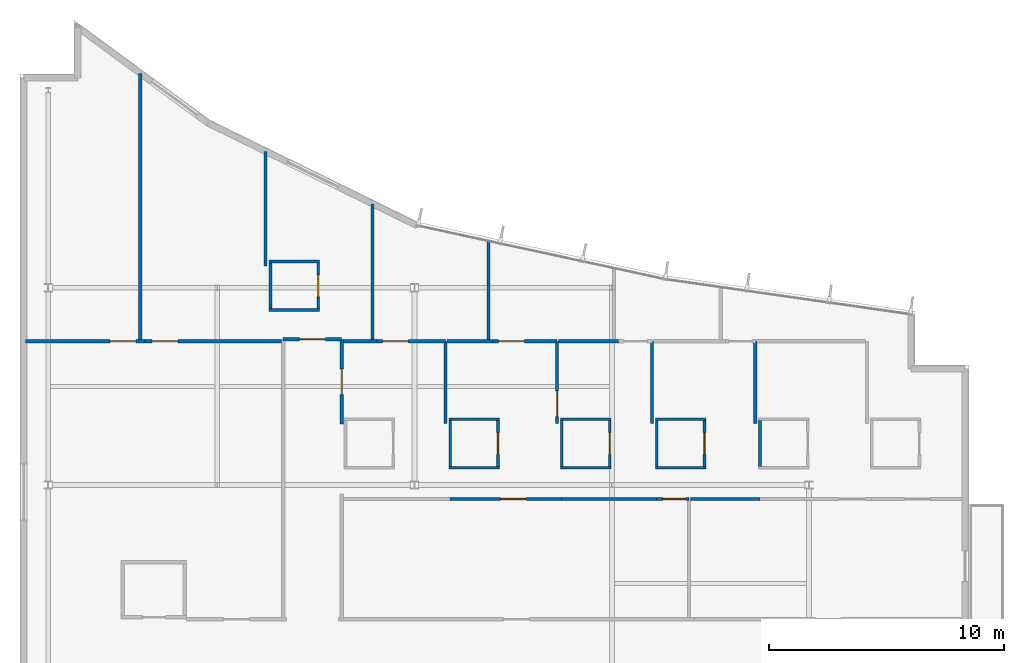
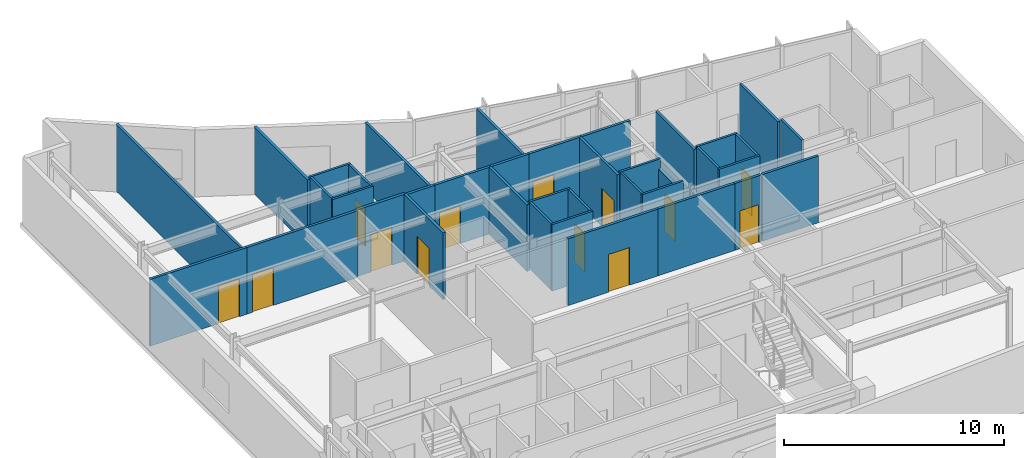
# One storey, part 11 of 16: 38 walls, 13 doors, 13 openings.
"""IFC4 building model written with IfcOpenShell, lengths in metres."""

import ifcopenshell
import ifcopenshell.guid

model = None  # the IFC model being written
_history = None  # IfcOwnerHistory: only IFC2X3 demands one
_inside = {}  # id of a spatial element -> (the spatial element, [elements in it])
_under = {}  # id of a project, library or spatial element -> (it, [spatial elements below it])
_declared = {}  # id of a project -> (the project, [libraries it declares])
_typed = {}  # id of a type object -> (the type object, [elements of that type])
_made_of = {}  # id of a material, layer set ... -> (it, [elements and type objects made of it])


def new_model(schema):
    """Start an empty IFC model of exactly this schema.

    Asked for "IFC4X3", IfcOpenShell would pick the latest addendum, in which some entities
    have other attributes; the version numbers below select the first issue.
    IFC2X3 requires an IfcOwnerHistory on every rooted entity: one is made here for all.
    """
    global model, _history
    if schema == "IFC4X3":
        model = ifcopenshell.file(schema_version=(4, 3, 0, 0))
    else:
        model = ifcopenshell.file(schema=schema)
    _inside.clear()
    _under.clear()
    _declared.clear()
    _typed.clear()
    _made_of.clear()
    _history = None
    if model.schema == "IFC2X3":
        org = make("IfcOrganization", Name="unknown")
        user = make(
            "IfcPersonAndOrganization",
            ThePerson=make("IfcPerson", FamilyName="unknown"),
            TheOrganization=org,
        )
        app = make(
            "IfcApplication",
            ApplicationDeveloper=org,
            Version="unknown",
            ApplicationFullName="unknown",
            ApplicationIdentifier="unknown",
        )
        _history = make(
            "IfcOwnerHistory",
            OwningUser=user,
            OwningApplication=app,
            ChangeAction="ADDED",
            CreationDate=0,
        )
    return model


def make(cls, **values):
    """One entity of the class cls with the attributes given. An attribute that is None is left unset."""
    return model.create_entity(
        cls, **{name: value for name, value in values.items() if value is not None}
    )


def rooted(cls, **values):
    """An entity with a GlobalId (a new one), such as an element, a storey or a relation."""
    return make(cls, GlobalId=ifcopenshell.guid.new(), OwnerHistory=_history, **values)


def si_unit(unit_type, name, prefix=None):
    """IfcSIUnit, for example si_unit("LENGTHUNIT", "METRE", prefix="MILLI")."""
    return make("IfcSIUnit", UnitType=unit_type, Prefix=prefix, Name=name)


def assignment(units):
    """IfcUnitAssignment: the units of a project."""
    return None if units is None else make("IfcUnitAssignment", Units=units)


def point(xyz):
    """IfcCartesianPoint."""
    return None if xyz is None else make("IfcCartesianPoint", Coordinates=xyz)


def direction(xyz):
    """IfcDirection."""
    return None if xyz is None else make("IfcDirection", DirectionRatios=xyz)


def frame(location, z_axis=None, x_axis=None):
    """IfcAxis2Placement3D, a coordinate frame: its origin and axes. An axis left out is left unset."""
    return make(
        "IfcAxis2Placement3D",
        Location=point(location),
        Axis=direction(z_axis),
        RefDirection=direction(x_axis),
    )


def frame_2d(location, x_axis=None):
    """IfcAxis2Placement2D, a coordinate frame in the plane: its origin and x axis."""
    return make(
        "IfcAxis2Placement2D", Location=point(location), RefDirection=direction(x_axis)
    )


def origin():
    """The frame at (0, 0, 0) with its axes left unset."""
    return frame((0.0, 0.0, 0.0))


def place(relative_to, where):
    """IfcLocalPlacement: puts the frame where relative to a parent placement (None: the world)."""
    return make(
        "IfcLocalPlacement", PlacementRelTo=relative_to, RelativePlacement=where
    )


def context(
    kind, dimensions, precision=None, world=None, true_north=None, identifier=None
):
    """IfcGeometricRepresentationContext, for example the 3D "Model" context."""
    return make(
        "IfcGeometricRepresentationContext",
        ContextIdentifier=identifier,
        ContextType=kind,
        CoordinateSpaceDimension=dimensions,
        Precision=precision,
        WorldCoordinateSystem=world,
        TrueNorth=true_north,
    )


def subcontext(parent, identifier, kind, view, scale=None):
    """IfcGeometricRepresentationSubContext, for example "Body" below "Model"."""
    return make(
        "IfcGeometricRepresentationSubContext",
        ContextIdentifier=identifier,
        ContextType=kind,
        ParentContext=parent,
        TargetScale=scale,
        TargetView=view,
    )


def project(units=None, contexts=None):
    """IfcProject with its units and contexts."""
    return rooted(
        "IfcProject",
        Name="project",
        RepresentationContexts=contexts,
        UnitsInContext=assignment(units),
    )


def spatial(cls, under=None, at=None, **own):
    """A site, building, storey or space (cls), placed at a placement, below another one or the project."""
    s = rooted(cls, ObjectPlacement=at, **own)
    if under is not None:
        _under.setdefault(under.id(), (under, []))[1].append(s)
    return s


def profile(cls, at=None, kind="AREA", **sizes):
    """A parametric profile (cls). Its sizes go by their IFC names, for example OverallWidth=200.0."""
    return make(cls, ProfileType=kind, Position=at, **sizes)


def rectangle(**sizes):
    """IfcRectangleProfileDef."""
    return profile("IfcRectangleProfileDef", **sizes)


def extrude(swept, where, along, depth):
    """IfcExtrudedAreaSolid: the profile swept, set in the frame where, extruded along a direction by depth."""
    return make(
        "IfcExtrudedAreaSolid",
        SweptArea=swept,
        Position=where,
        ExtrudedDirection=direction(along),
        Depth=depth,
    )


def shape(context_of_items, identifier, shape_type, items):
    """IfcShapeRepresentation: the items that make up one representation, for example the "Body"."""
    return make(
        "IfcShapeRepresentation",
        ContextOfItems=context_of_items,
        RepresentationIdentifier=identifier,
        RepresentationType=shape_type,
        Items=items,
    )


def material(Name=None, Category=None):
    """IfcMaterial."""
    return make("IfcMaterial", Name=Name, Category=Category)


def layer(
    of_material, thickness, ventilated=None, Name=None, Category=None, Priority=None
):
    """IfcMaterialLayer: one layer of a wall or slab, of a material (None: an air gap)."""
    return make(
        "IfcMaterialLayer",
        Material=of_material,
        LayerThickness=thickness,
        IsVentilated=ventilated,
        Name=Name,
        Category=Category,
        Priority=Priority,
    )


def layer_set(layers, Name=None):
    """IfcMaterialLayerSet."""
    return make("IfcMaterialLayerSet", MaterialLayers=layers, LayerSetName=Name)


def made_of(thing, what):
    """Note that an element or type object is made of a material, layer set ...; save() writes the relation."""
    if what is not None:
        _made_of.setdefault(what.id(), (what, []))[1].append(thing)
    return thing


def type_object(cls, material=None, **own):
    """A type object (cls), such as IfcWallType, which elements share."""
    return made_of(rooted(cls, **own), material)


def element(
    cls,
    number,
    at=None,
    inside=None,
    cuts=None,
    type_object=None,
    material=None,
    context=None,
    identifier="Body",
    shape_type=None,
    held_by="IfcProductDefinitionShape",
    body=None,
    shapes=None,
    **own,
):
    """One element of the class cls, such as IfcWall. Its Tag is "e" and its number.

    at: its placement. inside: the storey or other place that contains it. cuts: it is an
    opening in that element (IfcRelVoidsElement). A single representation is given by context,
    identifier, shape_type and body (its items); several are given by shapes. held_by: the class
    of the entity that holds the representations. save() writes the other relations.
    """
    e = rooted(cls, Tag="e%d" % number, ObjectPlacement=at, **own)
    if body is not None:
        shapes = [shape(context, identifier, shape_type, body)]
    if shapes is not None:
        e.Representation = make(held_by, Representations=shapes)
    if inside is not None:
        _inside.setdefault(inside.id(), (inside, []))[1].append(e)
    if cuts is not None:
        rooted(
            "IfcRelVoidsElement", RelatingBuildingElement=cuts, RelatedOpeningElement=e
        )
    if type_object is not None:
        _typed.setdefault(type_object.id(), (type_object, []))[1].append(e)
    return made_of(e, material)


def fill(opening, filler):
    """IfcRelFillsElement: the door or window that sits in an opening."""
    return rooted(
        "IfcRelFillsElement",
        RelatingOpeningElement=opening,
        RelatedBuildingElement=filler,
    )


def aggregate(whole, parts):
    """IfcRelAggregates: a whole, such as a stair, and the parts it consists of."""
    return rooted("IfcRelAggregates", RelatingObject=whole, RelatedObjects=parts)


def save(model, path):
    """Write the relations noted so far, then the file.

    IfcRelAggregates (storeys below a building ...), IfcRelContainedInSpatialStructure (elements
    in a storey), IfcRelDefinesByType, IfcRelAssociatesMaterial and IfcRelDeclares: one each for
    every whole, place, type object, material and project.
    """
    for whole, parts in _under.values():
        aggregate(whole, parts)
    for where, things in _inside.values():
        rooted(
            "IfcRelContainedInSpatialStructure",
            RelatedElements=things,
            RelatingStructure=where,
        )
    for kind, things in _typed.values():
        rooted("IfcRelDefinesByType", RelatedObjects=things, RelatingType=kind)
    for what, things in _made_of.values():
        rooted("IfcRelAssociatesMaterial", RelatedObjects=things, RelatingMaterial=what)
    for by, libraries in _declared.values():
        rooted("IfcRelDeclares", RelatingContext=by, RelatedDefinitions=libraries)
    model.write(path)


model = new_model("IFC4")

# Units and contexts
model_context = context("Model", 3, precision=1e-05, world=origin(), true_north=direction((0.0, 1.0)))
body_context = subcontext(model_context, "Body", "Model", "MODEL_VIEW")
ifc_project = project(units=[si_unit("LENGTHUNIT", "METRE"), si_unit("AREAUNIT", "SQUARE_METRE"), si_unit("VOLUMEUNIT", "CUBIC_METRE"), si_unit("PLANEANGLEUNIT", "RADIAN"), si_unit("MASSUNIT", "GRAM", prefix="KILO")], contexts=[model_context])

# Site, building, storey
site_placement = place(None, origin())
site = spatial("IfcSite", under=ifc_project, at=site_placement, CompositionType="ELEMENT")
building_placement = place(site_placement, origin())
building = spatial("IfcBuilding", under=site, at=building_placement, Name="Varnakote Quay Hospital", CompositionType="ELEMENT")
storey_placement = place(building_placement, frame((0.0, 0.0, 292.10009765625)))
storey = spatial("IfcBuildingStorey", under=building, at=storey_placement, Name="L72", CompositionType="ELEMENT", Elevation=292.10009765625)

# Walls
ifc_material_1 = material(Name="Moisture-resistant bathroom partition", Category="gypsum")
ifc_layer_1 = layer(ifc_material_1, 0.114990234375)
ifc_layer_set_1 = layer_set([ifc_layer_1], Name="Moisture-resistant bathroom partition")
wall_type_1 = type_object("IfcWallType", Name="WL-ENS-115", PredefinedType="PARTITIONING", material=ifc_layer_set_1)
for number, where, z_axis, x_axis, name in (
    (1, (18.264892578125, 21.132568359375, 0.0), (0.0, 0.0, 1.0), (1.0, 0.0, 0.0), "L72 Inpatient En-Suite Bathroom 02 S Wall"),
    (2, (18.264892578125, 23.197509765625, 0.0), (0.0, 0.0, 1.0), (1.0, 0.0, 0.0), "L72 Inpatient En-Suite Bathroom 02 N Wall"),
):
    element("IfcWall", number, at=place(storey_placement, frame(where, z_axis=z_axis, x_axis=x_axis)), inside=storey, type_object=wall_type_1, Name=name, PredefinedType="PARTITIONING", context=body_context, shape_type="SweptSolid", body=[
        extrude(rectangle(XDim=2.150146484375, YDim=0.114990234375, at=frame_2d((1.0751953125, 0.0))), origin(), (0.0, 0.0, 1.0), 3.7099609375),
    ])
wall_1_placement = place(storey_placement, frame((18.322509765625, 21.18994140625, 0.0), z_axis=(0.0, 0.0, 1.0), x_axis=(0.0, 1.0, 0.0)))
element("IfcWall", 3, at=wall_1_placement, inside=storey, type_object=wall_type_1, Name="L72 Inpatient En-Suite Bathroom 02 W Wall", PredefinedType="PARTITIONING", context=body_context, shape_type="SweptSolid", body=[
    extrude(rectangle(XDim=1.949951171875, YDim=0.114990234375, at=frame_2d((0.97509765625, 0.0))), origin(), (0.0, 0.0, 1.0), 3.7099609375),
])

# Wall, opening, door
wall_2_placement = place(storey_placement, frame((20.357421875, 21.18994140625, 0.0), z_axis=(0.0, 0.0, 1.0), x_axis=(0.0, 1.0, 0.0)))
wall_2 = element("IfcWall", 4, at=wall_2_placement, inside=storey, type_object=wall_type_1, Name="L72 Inpatient En-Suite Bathroom 02 E Wall", PredefinedType="PARTITIONING", context=body_context, shape_type="SweptSolid", body=[
    extrude(rectangle(XDim=1.949951171875, YDim=0.114990234375, at=frame_2d((0.97509765625, 0.0))), origin(), (0.0, 0.0, 1.0), 3.7099609375),
])
opening_1_placement = place(wall_2_placement, frame((0.514892578125, 0.0, 0.0)))
opening_1 = element("IfcOpeningElement", 5, at=opening_1_placement, cuts=wall_2, Name="Opening D-L72-ENS02", PredefinedType="OPENING", context=body_context, shape_type="SweptSolid", body=[
    extrude(rectangle(XDim=0.919921875, YDim=2.10009765625, at=frame_2d((0.4599609375, 1.050048828125))), frame((0.0, 0.0673828125, 0.0), z_axis=(0.0, -1.0, 0.0), x_axis=(1.0, 0.0, 0.0)), (0.0, 0.0, 1.0), 0.135009765625),
])
ifc_material_2 = material(Name="Moisture-sealed en-suite bathroom door")
door_type_1 = type_object("IfcDoorType", Name="DR-ENS-920x2100", OperationType="NOTDEFINED", PredefinedType="DOOR", material=ifc_material_2)
door_1_placement = place(opening_1_placement, origin())
door_1 = element("IfcDoor", 6, at=door_1_placement, inside=storey, type_object=door_type_1, Name="L72 Inpatient En-Suite Bathroom 02 Door", OperationType="SINGLE_SWING_RIGHT", OverallHeight=2.10009765625, OverallWidth=0.919921875, PredefinedType="DOOR", context=body_context, shape_type="SweptSolid", body=[
    extrude(rectangle(XDim=0.919921875, YDim=2.10009765625, at=frame_2d((0.4599609375, 1.050048828125))), frame((0.0, 0.02490234375, 0.0), z_axis=(0.0, -1.0, 0.0), x_axis=(1.0, 0.0, 0.0)), (0.0, 0.0, 1.0), 0.050048828125),
])
fill(opening_1, door_1)

# Walls
for number, where, z_axis, x_axis, name in (
    (7, (23.014892578125, 21.132568359375, 0.0), (0.0, 0.0, 1.0), (1.0, 0.0, 0.0), "L72 Inpatient En-Suite Bathroom 03 S Wall"),
    (8, (23.014892578125, 23.197509765625, 0.0), (0.0, 0.0, 1.0), (1.0, 0.0, 0.0), "L72 Inpatient En-Suite Bathroom 03 N Wall"),
):
    element("IfcWall", number, at=place(storey_placement, frame(where, z_axis=z_axis, x_axis=x_axis)), inside=storey, type_object=wall_type_1, Name=name, PredefinedType="PARTITIONING", context=body_context, shape_type="SweptSolid", body=[
        extrude(rectangle(XDim=2.150146484375, YDim=0.114990234375, at=frame_2d((1.0751953125, 0.0))), origin(), (0.0, 0.0, 1.0), 3.7099609375),
    ])
wall_3_placement = place(storey_placement, frame((23.072509765625, 21.18994140625, 0.0), z_axis=(0.0, 0.0, 1.0), x_axis=(0.0, 1.0, 0.0)))
element("IfcWall", 9, at=wall_3_placement, inside=storey, type_object=wall_type_1, Name="L72 Inpatient En-Suite Bathroom 03 W Wall", PredefinedType="PARTITIONING", context=body_context, shape_type="SweptSolid", body=[
    extrude(rectangle(XDim=1.949951171875, YDim=0.114990234375, at=frame_2d((0.97509765625, 0.0))), origin(), (0.0, 0.0, 1.0), 3.7099609375),
])

# Wall, opening, door
wall_4_placement = place(storey_placement, frame((25.107421875, 21.18994140625, 0.0), z_axis=(0.0, 0.0, 1.0), x_axis=(0.0, 1.0, 0.0)))
wall_4 = element("IfcWall", 10, at=wall_4_placement, inside=storey, type_object=wall_type_1, Name="L72 Inpatient En-Suite Bathroom 03 E Wall", PredefinedType="PARTITIONING", context=body_context, shape_type="SweptSolid", body=[
    extrude(rectangle(XDim=1.949951171875, YDim=0.114990234375, at=frame_2d((0.97509765625, 0.0))), origin(), (0.0, 0.0, 1.0), 3.156982421875),
])
opening_2_placement = place(wall_4_placement, frame((0.514892578125, 0.0, 0.0)))
opening_2 = element("IfcOpeningElement", 11, at=opening_2_placement, cuts=wall_4, Name="Opening D-L72-ENS03", PredefinedType="OPENING", context=body_context, shape_type="SweptSolid", body=[
    extrude(rectangle(XDim=0.919921875, YDim=2.10009765625, at=frame_2d((0.4599609375, 1.050048828125))), frame((0.0, 0.0673828125, 0.0), z_axis=(0.0, -1.0, 0.0), x_axis=(1.0, 0.0, 0.0)), (0.0, 0.0, 1.0), 0.135009765625),
])
door_2_placement = place(opening_2_placement, origin())
door_2 = element("IfcDoor", 12, at=door_2_placement, inside=storey, type_object=door_type_1, Name="L72 Inpatient En-Suite Bathroom 03 Door", OperationType="SINGLE_SWING_LEFT", OverallHeight=2.10009765625, OverallWidth=0.919921875, PredefinedType="DOOR", context=body_context, shape_type="SweptSolid", body=[
    extrude(rectangle(XDim=0.919921875, YDim=2.10009765625, at=frame_2d((0.4599609375, 1.050048828125))), frame((0.0, 0.02490234375, 0.0), z_axis=(0.0, -1.0, 0.0), x_axis=(1.0, 0.0, 0.0)), (0.0, 0.0, 1.0), 0.050048828125),
])
fill(opening_2, door_2)

# Walls
for number, where, z_axis, x_axis, name in (
    (13, (27.054931640625, 21.132568359375, 0.0), (0.0, 0.0, 1.0), (1.0, 0.0, 0.0), "L72 Inpatient En-Suite Bathroom 04 S Wall"),
    (14, (27.054931640625, 23.197509765625, 0.0), (0.0, 0.0, 1.0), (1.0, 0.0, 0.0), "L72 Inpatient En-Suite Bathroom 04 N Wall"),
):
    element("IfcWall", number, at=place(storey_placement, frame(where, z_axis=z_axis, x_axis=x_axis)), inside=storey, type_object=wall_type_1, Name=name, PredefinedType="PARTITIONING", context=body_context, shape_type="SweptSolid", body=[
        extrude(rectangle(XDim=2.150146484375, YDim=0.114990234375, at=frame_2d((1.0751953125, 0.0))), origin(), (0.0, 0.0, 1.0), 3.7099609375),
    ])
wall_5_placement = place(storey_placement, frame((27.112548828125, 21.18994140625, 0.0), z_axis=(0.0, 0.0, 1.0), x_axis=(0.0, 1.0, 0.0)))
element("IfcWall", 15, at=wall_5_placement, inside=storey, type_object=wall_type_1, Name="L72 Inpatient En-Suite Bathroom 04 W Wall", PredefinedType="PARTITIONING", context=body_context, shape_type="SweptSolid", body=[
    extrude(rectangle(XDim=1.949951171875, YDim=0.114990234375, at=frame_2d((0.97509765625, 0.0))), origin(), (0.0, 0.0, 1.0), 3.7099609375),
])

# Wall, opening, door
wall_6_placement = place(storey_placement, frame((29.1474609375, 21.18994140625, 0.0), z_axis=(0.0, 0.0, 1.0), x_axis=(0.0, 1.0, 0.0)))
wall_6 = element("IfcWall", 16, at=wall_6_placement, inside=storey, type_object=wall_type_1, Name="L72 Inpatient En-Suite Bathroom 04 E Wall", PredefinedType="PARTITIONING", context=body_context, shape_type="SweptSolid", body=[
    extrude(rectangle(XDim=1.949951171875, YDim=0.114990234375, at=frame_2d((0.97509765625, 0.0))), origin(), (0.0, 0.0, 1.0), 3.7099609375),
])
opening_3_placement = place(wall_6_placement, frame((0.514892578125, 0.0, 0.0)))
opening_3 = element("IfcOpeningElement", 17, at=opening_3_placement, cuts=wall_6, Name="Opening D-L72-ENS04", PredefinedType="OPENING", context=body_context, shape_type="SweptSolid", body=[
    extrude(rectangle(XDim=0.919921875, YDim=2.10009765625, at=frame_2d((0.4599609375, 1.050048828125))), frame((0.0, 0.0673828125, 0.0), z_axis=(0.0, -1.0, 0.0), x_axis=(1.0, 0.0, 0.0)), (0.0, 0.0, 1.0), 0.135009765625),
])
door_3_placement = place(opening_3_placement, origin())
door_3 = element("IfcDoor", 18, at=door_3_placement, inside=storey, type_object=door_type_1, Name="L72 Inpatient En-Suite Bathroom 04 Door", OperationType="SINGLE_SWING_RIGHT", OverallHeight=2.10009765625, OverallWidth=0.919921875, PredefinedType="DOOR", context=body_context, shape_type="SweptSolid", body=[
    extrude(rectangle(XDim=0.919921875, YDim=2.10009765625, at=frame_2d((0.4599609375, 1.050048828125))), frame((0.0, 0.02490234375, 0.0), z_axis=(0.0, -1.0, 0.0), x_axis=(1.0, 0.0, 0.0)), (0.0, 0.0, 1.0), 0.050048828125),
])
fill(opening_3, door_3)

# Walls
wall_7_placement = place(storey_placement, frame((31.512451171875, 21.18994140625, 0.0), z_axis=(0.0, 0.0, 1.0), x_axis=(0.0, 1.0, 0.0)))
element("IfcWall", 19, at=wall_7_placement, inside=storey, type_object=wall_type_1, Name="L72 Inpatient En-Suite Bathroom 05 W Wall", PredefinedType="PARTITIONING", context=body_context, shape_type="SweptSolid", body=[
    extrude(rectangle(XDim=1.949951171875, YDim=0.114990234375, at=frame_2d((0.97509765625, 0.0))), origin(), (0.0, 0.0, 1.0), 3.7099609375),
])
for number, where, z_axis, x_axis, name in (
    (20, (10.60498046875, 27.8525390625, 0.0), (0.0, 0.0, 1.0), (1.0, 0.0, 0.0), "L72 Inpatient En-Suite Bathroom 07 S Wall"),
    (21, (10.60498046875, 29.91748046875, 0.0), (0.0, 0.0, 1.0), (1.0, 0.0, 0.0), "L72 Inpatient En-Suite Bathroom 07 N Wall"),
):
    element("IfcWall", number, at=place(storey_placement, frame(where, z_axis=z_axis, x_axis=x_axis)), inside=storey, type_object=wall_type_1, Name=name, PredefinedType="PARTITIONING", context=body_context, shape_type="SweptSolid", body=[
        extrude(rectangle(XDim=2.14990234375, YDim=0.114990234375, at=frame_2d((1.074951171875, 0.0))), origin(), (0.0, 0.0, 1.0), 3.7099609375),
    ])
wall_8_placement = place(storey_placement, frame((10.66259765625, 27.909912109375, 0.0), z_axis=(0.0, 0.0, 1.0), x_axis=(0.0, 1.0, 0.0)))
element("IfcWall", 22, at=wall_8_placement, inside=storey, type_object=wall_type_1, Name="L72 Inpatient En-Suite Bathroom 07 W Wall", PredefinedType="PARTITIONING", context=body_context, shape_type="SweptSolid", body=[
    extrude(rectangle(XDim=1.9501953125, YDim=0.114990234375, at=frame_2d((0.97509765625, 0.0))), origin(), (0.0, 0.0, 1.0), 3.7099609375),
])

# Wall, opening, door
wall_9_placement = place(storey_placement, frame((12.697509765625, 27.909912109375, 0.0), z_axis=(0.0, 0.0, 1.0), x_axis=(0.0, 1.0, 0.0)))
wall_9 = element("IfcWall", 23, at=wall_9_placement, inside=storey, type_object=wall_type_1, Name="L72 Inpatient En-Suite Bathroom 07 E Wall", PredefinedType="PARTITIONING", context=body_context, shape_type="SweptSolid", body=[
    extrude(rectangle(XDim=1.9501953125, YDim=0.114990234375, at=frame_2d((0.97509765625, 0.0))), origin(), (0.0, 0.0, 1.0), 3.7099609375),
])
opening_4_placement = place(wall_9_placement, frame((0.514892578125, 0.0, 0.0)))
opening_4 = element("IfcOpeningElement", 24, at=opening_4_placement, cuts=wall_9, Name="Opening D-L72-ENS07", PredefinedType="OPENING", context=body_context, shape_type="SweptSolid", body=[
    extrude(rectangle(XDim=0.919921875, YDim=2.10009765625, at=frame_2d((0.4599609375, 1.050048828125))), frame((0.0, 0.0673828125, 0.0), z_axis=(0.0, -1.0, 0.0), x_axis=(1.0, 0.0, 0.0)), (0.0, 0.0, 1.0), 0.135009765625),
])
door_4_placement = place(opening_4_placement, origin())
door_4 = element("IfcDoor", 25, at=door_4_placement, inside=storey, type_object=door_type_1, Name="L72 Inpatient En-Suite Bathroom 07 Door", OperationType="SINGLE_SWING_LEFT", OverallHeight=2.10009765625, OverallWidth=0.919921875, PredefinedType="DOOR", context=body_context, shape_type="SweptSolid", body=[
    extrude(rectangle(XDim=0.919921875, YDim=2.10009765625, at=frame_2d((0.4599609375, 1.050048828125))), frame((0.0, 0.02490234375, 0.0), z_axis=(0.0, -1.0, 0.0), x_axis=(1.0, 0.0, 0.0)), (0.0, 0.0, 1.0), 0.050048828125),
])
fill(opening_4, door_4)

ifc_material_3 = material(Name="Smoke-proof clinical partition", Category="gypsum")
ifc_layer_2 = layer(ifc_material_3, 0.135009765625)
ifc_layer_set_2 = layer_set([ifc_layer_2], Name="Smoke-proof clinical partition")
wall_type_2 = type_object("IfcWallType", Name="WL-SMOKE-135", PredefinedType="PARTITIONING", material=ifc_layer_set_2)
wall_10_placement = place(storey_placement, frame((5.314697265625, 26.52001953125, 0.0), z_axis=(0.0, 0.0, 1.0), x_axis=(-1.0, 0.0, 0.0)))
wall_10 = element("IfcWall", 26, at=wall_10_placement, inside=storey, type_object=wall_type_2, Name="L72 Clinical Interior Partition", PredefinedType="PARTITIONING", context=body_context, shape_type="SweptSolid", body=[
    extrude(rectangle(XDim=5.07470703125, YDim=0.135009765625, at=frame_2d((2.537353515625, 0.0))), origin(), (0.0, 0.0, 1.0), 3.7099609375),
])
opening_5_placement = place(wall_10_placement, frame((0.378662109375, 0.0, 0.0)))
opening_5 = element("IfcOpeningElement", 27, at=opening_5_placement, cuts=wall_10, Name="Opening D-L72-MD03", PredefinedType="OPENING", context=body_context, shape_type="SweptSolid", body=[
    extrude(rectangle(XDim=1.10009765625, YDim=2.10009765625, at=frame_2d((0.550048828125, 1.050048828125))), frame((0.0, 0.077392578125, 0.0), z_axis=(0.0, -1.0, 0.0), x_axis=(1.0, 0.0, 0.0)), (0.0, 0.0, 1.0), 0.155029296875),
])
ifc_material_4 = material(Name="Acoustic timber clinical consult door", Category="wood")
door_type_2 = type_object("IfcDoorType", Name="DR-CLIN-FD30S-1100x2100", OperationType="NOTDEFINED", PredefinedType="DOOR", material=ifc_material_4)
door_5_placement = place(opening_5_placement, origin())
door_5 = element("IfcDoor", 28, at=door_5_placement, inside=storey, type_object=door_type_2, Name="L72 Trauma Coordinator Office Door", OperationType="SINGLE_SWING_LEFT", OverallHeight=2.10009765625, OverallWidth=1.10009765625, PredefinedType="DOOR", context=body_context, shape_type="SweptSolid", body=[
    extrude(rectangle(XDim=1.10009765625, YDim=2.10009765625, at=frame_2d((0.550048828125, 1.050048828125))), frame((0.0, 0.02490234375, 0.0), z_axis=(0.0, -1.0, 0.0), x_axis=(1.0, 0.0, 0.0)), (0.0, 0.0, 1.0), 0.050048828125),
])
fill(opening_5, door_5)

wall_11_placement = place(storey_placement, frame((11.135009765625, 26.52001953125, 0.0), z_axis=(0.0, 0.0, 1.0), x_axis=(-1.0, 0.0, 0.0)))
wall_11 = element("IfcWall", 29, at=wall_11_placement, inside=storey, type_object=wall_type_2, Name="L72 Clinical Interior Partition", PredefinedType="PARTITIONING", context=body_context, shape_type="SweptSolid", body=[
    extrude(rectangle(XDim=5.818359375, YDim=0.135009765625, at=frame_2d((2.9091796875, 0.0))), origin(), (0.0, 0.0, 1.0), 3.7099609375),
])
opening_6_placement = place(wall_11_placement, frame((4.410400390625, 0.0, 0.0)))
opening_6 = element("IfcOpeningElement", 30, at=opening_6_placement, cuts=wall_11, Name="Opening D-L72-MD04", PredefinedType="OPENING", context=body_context, shape_type="SweptSolid", body=[
    extrude(rectangle(XDim=1.10009765625, YDim=2.10009765625, at=frame_2d((0.550048828125, 1.050048828125))), frame((0.0, 0.077392578125, 0.0), z_axis=(0.0, -1.0, 0.0), x_axis=(1.0, 0.0, 0.0)), (0.0, 0.0, 1.0), 0.155029296875),
])
door_6_placement = place(opening_6_placement, origin())
door_6 = element("IfcDoor", 31, at=door_6_placement, inside=storey, type_object=door_type_2, Name="L72 Trauma Handover Meeting Room Door", OperationType="SINGLE_SWING_RIGHT", OverallHeight=2.10009765625, OverallWidth=1.10009765625, PredefinedType="DOOR", context=body_context, shape_type="SweptSolid", body=[
    extrude(rectangle(XDim=1.10009765625, YDim=2.10009765625, at=frame_2d((0.550048828125, 1.050048828125))), frame((0.0, 0.02490234375, 0.0), z_axis=(0.0, -1.0, 0.0), x_axis=(1.0, 0.0, 0.0)), (0.0, 0.0, 1.0), 0.050048828125),
])
fill(opening_6, door_6)

wall_12_placement = place(storey_placement, frame((23.064697265625, 19.800048828125, 0.0), z_axis=(0.0, 0.0, 1.0), x_axis=(-1.0, 0.0, 0.0)))
wall_12 = element("IfcWall", 32, at=wall_12_placement, inside=storey, type_object=wall_type_2, Name="L72 Clinical Interior Partition", PredefinedType="PARTITIONING", context=body_context, shape_type="SweptSolid", body=[
    extrude(rectangle(XDim=4.748046875, YDim=0.135009765625, at=frame_2d((2.3740234375, 0.0))), origin(), (0.0, 0.0, 1.0), 3.7099609375),
])
opening_7_placement = place(wall_12_placement, frame((1.499267578125, 0.0, 0.0)))
opening_7 = element("IfcOpeningElement", 33, at=opening_7_placement, cuts=wall_12, Name="Opening D-L72-BR02", PredefinedType="OPENING", context=body_context, shape_type="SweptSolid", body=[
    extrude(rectangle(XDim=1.10009765625, YDim=2.10009765625, at=frame_2d((0.550048828125, 1.050048828125))), frame((0.0, 0.077392578125, 0.0), z_axis=(0.0, -1.0, 0.0), x_axis=(1.0, 0.0, 0.0)), (0.0, 0.0, 1.0), 0.155029296875),
])
door_7_placement = place(opening_7_placement, origin())
door_7 = element("IfcDoor", 34, at=door_7_placement, inside=storey, type_object=door_type_2, Name="L72 Inpatient Clinical Treatment Room 02 Door", OperationType="SINGLE_SWING_LEFT", OverallHeight=2.10009765625, OverallWidth=1.10009765625, PredefinedType="DOOR", context=body_context, shape_type="SweptSolid", body=[
    extrude(rectangle(XDim=1.10009765625, YDim=2.10009765625, at=frame_2d((0.550048828125, 1.050048828125))), frame((0.0, 0.02490234375, 0.0), z_axis=(0.0, -1.0, 0.0), x_axis=(1.0, 0.0, 0.0)), (0.0, 0.0, 1.0), 0.050048828125),
])
fill(opening_7, door_7)

# Wall
wall_13_placement = place(storey_placement, frame((27.1044921875, 19.800048828125, 0.0), z_axis=(0.0, 0.0, 1.0), x_axis=(-1.0, 0.0, 0.0)))
element("IfcWall", 35, at=wall_13_placement, inside=storey, type_object=wall_type_2, Name="L72 Clinical Interior Partition", PredefinedType="PARTITIONING", context=body_context, shape_type="SweptSolid", body=[
    extrude(rectangle(XDim=4.037841796875, YDim=0.135009765625, at=frame_2d((2.01904296875, 0.0))), origin(), (0.0, 0.0, 1.0), 3.7099609375),
])

# Wall, opening, door
wall_14_placement = place(storey_placement, frame((28.489990234375, 19.800048828125, 0.0), z_axis=(0.0, 0.0, 1.0), x_axis=(-1.0, 0.0, 0.0)))
wall_14 = element("IfcWall", 36, at=wall_14_placement, inside=storey, type_object=wall_type_2, Name="L72 Clinical Interior Partition", PredefinedType="PARTITIONING", context=body_context, shape_type="SweptSolid", body=[
    extrude(rectangle(XDim=1.38330078125, YDim=0.135009765625, at=frame_2d((0.691650390625, 0.0))), origin(), (0.0, 0.0, 1.0), 3.7099609375),
])
opening_8_placement = place(wall_14_placement, frame((0.134765625, 0.0, 0.0)))
opening_8 = element("IfcOpeningElement", 37, at=opening_8_placement, cuts=wall_14, Name="Opening D-L72-BR04", PredefinedType="OPENING", context=body_context, shape_type="SweptSolid", body=[
    extrude(rectangle(XDim=0.97998046875, YDim=2.10009765625, at=frame_2d((0.489990234375, 1.050048828125))), frame((0.0, 0.077392578125, 0.0), z_axis=(0.0, -1.0, 0.0), x_axis=(1.0, 0.0, 0.0)), (0.0, 0.0, 1.0), 0.155029296875),
])
ifc_material_5 = material(Name="Accessible sanitary compartment door")
door_type_3 = type_object("IfcDoorType", Name="DR-WC-980x2100", OperationType="NOTDEFINED", PredefinedType="DOOR", material=ifc_material_5)
door_8_placement = place(opening_8_placement, origin())
door_8 = element("IfcDoor", 38, at=door_8_placement, inside=storey, type_object=door_type_3, Name="L72 Inpatient Clinical Treatment Room 04 Door", OperationType="SINGLE_SWING_RIGHT", OverallHeight=2.10009765625, OverallWidth=0.97998046875, PredefinedType="DOOR", context=body_context, shape_type="SweptSolid", body=[
    extrude(rectangle(XDim=0.97998046875, YDim=2.10009765625, at=frame_2d((0.489990234375, 1.050048828125))), frame((0.0, 0.02490234375, 0.0), z_axis=(0.0, -1.0, 0.0), x_axis=(1.0, 0.0, 0.0)), (0.0, 0.0, 1.0), 0.050048828125),
])
fill(opening_8, door_8)

# Walls
wall_15_placement = place(storey_placement, frame((31.504638671875, 19.800048828125, 0.0), z_axis=(0.0, 0.0, 1.0), x_axis=(-1.0, 0.0, 0.0)))
element("IfcWall", 39, at=wall_15_placement, inside=storey, type_object=wall_type_2, Name="L72 Clinical Interior Partition", PredefinedType="PARTITIONING", context=body_context, shape_type="SweptSolid", body=[
    extrude(rectangle(XDim=2.95703125, YDim=0.135009765625, at=frame_2d((1.478515625, 0.0))), origin(), (0.0, 0.0, 1.0), 3.7099609375),
])
wall_16_placement = place(storey_placement, frame((18.1201171875, 23.012451171875, 0.0), z_axis=(0.0, 0.0, 1.0), x_axis=(0.0, 1.0, 0.0)))
element("IfcWall", 40, at=wall_16_placement, inside=storey, type_object=wall_type_2, Name="L72 Clinical Interior Partition", PredefinedType="PARTITIONING", context=body_context, shape_type="SweptSolid", body=[
    extrude(rectangle(XDim=3.507568359375, YDim=0.135009765625, at=frame_2d((1.75390625, 0.0))), origin(), (0.0, 0.0, 1.0), 3.7099609375),
])
wall_17_placement = place(storey_placement, frame((15.20458984375, 26.52001953125, 0.0), z_axis=(0.0, 0.0, 1.0), x_axis=(-1.0, 0.0, 0.0)))
element("IfcWall", 41, at=wall_17_placement, inside=storey, type_object=wall_type_2, Name="L72 Clinical Interior Partition", PredefinedType="PARTITIONING", context=body_context, shape_type="SweptSolid", body=[
    extrude(rectangle(XDim=1.424560546875, YDim=0.135009765625, at=frame_2d((0.71240234375, 0.0))), origin(), (0.0, 0.0, 1.0), 3.7099609375),
])

# Wall, opening, door
wall_18_placement = place(storey_placement, frame((18.1201171875, 26.52001953125, 0.0), z_axis=(0.0, 0.0, 1.0), x_axis=(-1.0, 0.0, 0.0)))
wall_18 = element("IfcWall", 42, at=wall_18_placement, inside=storey, type_object=wall_type_2, Name="L72 Clinical Interior Partition", PredefinedType="PARTITIONING", context=body_context, shape_type="SweptSolid", body=[
    extrude(rectangle(XDim=2.91357421875, YDim=0.135009765625, at=frame_2d((1.456787109375, 0.0))), origin(), (0.0, 0.0, 1.0), 3.7099609375),
])
opening_9_placement = place(wall_18_placement, frame((1.578125, 0.0, 0.0)))
opening_9 = element("IfcOpeningElement", 43, at=opening_9_placement, cuts=wall_18, Name="Opening D-L72-MD05", PredefinedType="OPENING", context=body_context, shape_type="SweptSolid", body=[
    extrude(rectangle(XDim=1.10009765625, YDim=2.10009765625, at=frame_2d((0.550048828125, 1.050048828125))), frame((0.0, 0.077392578125, 0.0), z_axis=(0.0, -1.0, 0.0), x_axis=(1.0, 0.0, 0.0)), (0.0, 0.0, 1.0), 0.155029296875),
])
door_9_placement = place(opening_9_placement, origin())
door_9 = element("IfcDoor", 44, at=door_9_placement, inside=storey, type_object=door_type_2, Name="L72 Ward Clinical Consultation Office Door", OperationType="SINGLE_SWING_LEFT", OverallHeight=2.10009765625, OverallWidth=1.10009765625, PredefinedType="DOOR", context=body_context, shape_type="SweptSolid", body=[
    extrude(rectangle(XDim=1.10009765625, YDim=2.10009765625, at=frame_2d((0.550048828125, 1.050048828125))), frame((0.0, 0.02490234375, 0.0), z_axis=(0.0, -1.0, 0.0), x_axis=(1.0, 0.0, 0.0)), (0.0, 0.0, 1.0), 0.050048828125),
])
fill(opening_9, door_9)

wall_19_placement = place(storey_placement, frame((22.8701171875, 23.012451171875, 0.0), z_axis=(0.0, 0.0, 1.0), x_axis=(0.0, 1.0, 0.0)))
wall_19 = element("IfcWall", 45, at=wall_19_placement, inside=storey, type_object=wall_type_2, Name="L72 Clinical Interior Partition", PredefinedType="PARTITIONING", context=body_context, shape_type="SweptSolid", body=[
    extrude(rectangle(XDim=3.507568359375, YDim=0.135009765625, at=frame_2d((1.75390625, 0.0))), origin(), (0.0, 0.0, 1.0), 3.7099609375),
])
opening_10_placement = place(wall_19_placement, frame((0.30029296875, 0.0, 0.0)))
opening_10 = element("IfcOpeningElement", 46, at=opening_10_placement, cuts=wall_19, Name="Opening D-L72-BR03", PredefinedType="OPENING", context=body_context, shape_type="SweptSolid", body=[
    extrude(rectangle(XDim=1.10009765625, YDim=2.10009765625, at=frame_2d((0.550048828125, 1.050048828125))), frame((0.0, 0.077392578125, 0.0), z_axis=(0.0, -1.0, 0.0), x_axis=(1.0, 0.0, 0.0)), (0.0, 0.0, 1.0), 0.155029296875),
])
door_10_placement = place(opening_10_placement, origin())
door_10 = element("IfcDoor", 47, at=door_10_placement, inside=storey, type_object=door_type_2, Name="L72 Inpatient Clinical Treatment Room 03 Door", OperationType="SINGLE_SWING_RIGHT", OverallHeight=2.10009765625, OverallWidth=1.10009765625, PredefinedType="DOOR", context=body_context, shape_type="SweptSolid", body=[
    extrude(rectangle(XDim=1.10009765625, YDim=2.10009765625, at=frame_2d((0.550048828125, 1.050048828125))), frame((0.0, 0.02490234375, 0.0), z_axis=(0.0, -1.0, 0.0), x_axis=(1.0, 0.0, 0.0)), (0.0, 0.0, 1.0), 0.050048828125),
])
fill(opening_10, door_10)

# Wall
wall_20_placement = place(storey_placement, frame((20.14453125, 26.52001953125, 0.0), z_axis=(0.0, 0.0, 1.0), x_axis=(-1.0, 0.0, 0.0)))
element("IfcWall", 48, at=wall_20_placement, inside=storey, type_object=wall_type_2, Name="L72 Clinical Interior Partition", PredefinedType="PARTITIONING", context=body_context, shape_type="SweptSolid", body=[
    extrude(rectangle(XDim=1.967041015625, YDim=0.135009765625, at=frame_2d((0.9833984375, 0.0))), origin(), (0.0, 0.0, 1.0), 3.7099609375),
])

# Wall, opening, door
wall_21_placement = place(storey_placement, frame((22.8701171875, 26.52001953125, 0.0), z_axis=(0.0, 0.0, 1.0), x_axis=(-1.0, 0.0, 0.0)))
wall_21 = element("IfcWall", 49, at=wall_21_placement, inside=storey, type_object=wall_type_2, Name="L72 Clinical Interior Partition", PredefinedType="PARTITIONING", context=body_context, shape_type="SweptSolid", body=[
    extrude(rectangle(XDim=2.7236328125, YDim=0.135009765625, at=frame_2d((1.36181640625, 0.0))), origin(), (0.0, 0.0, 1.0), 3.7099609375),
])
opening_11_placement = place(wall_21_placement, frame((1.392822265625, 0.0, 0.0)))
opening_11 = element("IfcOpeningElement", 50, at=opening_11_placement, cuts=wall_21, Name="Opening D-L72-MD06", PredefinedType="OPENING", context=body_context, shape_type="SweptSolid", body=[
    extrude(rectangle(XDim=1.10009765625, YDim=2.10009765625, at=frame_2d((0.550048828125, 1.050048828125))), frame((0.0, 0.077392578125, 0.0), z_axis=(0.0, -1.0, 0.0), x_axis=(1.0, 0.0, 0.0)), (0.0, 0.0, 1.0), 0.155029296875),
])
door_11_placement = place(opening_11_placement, origin())
door_11 = element("IfcDoor", 51, at=door_11_placement, inside=storey, type_object=door_type_2, Name="L72 Trauma Step-Down Treatment Suite Door", OperationType="SINGLE_SWING_LEFT", OverallHeight=2.10009765625, OverallWidth=1.10009765625, PredefinedType="DOOR", context=body_context, shape_type="SweptSolid", body=[
    extrude(rectangle(XDim=1.10009765625, YDim=2.10009765625, at=frame_2d((0.550048828125, 1.050048828125))), frame((0.0, 0.02490234375, 0.0), z_axis=(0.0, -1.0, 0.0), x_axis=(1.0, 0.0, 0.0)), (0.0, 0.0, 1.0), 0.050048828125),
])
fill(opening_11, door_11)

# Walls
wall_22_placement = place(storey_placement, frame((26.909912109375, 23.012451171875, 0.0), z_axis=(0.0, 0.0, 1.0), x_axis=(0.0, 1.0, 0.0)))
element("IfcWall", 52, at=wall_22_placement, inside=storey, type_object=wall_type_2, Name="L72 Clinical Interior Partition", PredefinedType="PARTITIONING", context=body_context, shape_type="SweptSolid", body=[
    extrude(rectangle(XDim=3.507568359375, YDim=0.135009765625, at=frame_2d((1.75390625, 0.0))), origin(), (0.0, 0.0, 1.0), 3.7099609375),
])
wall_23_placement = place(storey_placement, frame((25.484619140625, 26.52001953125, 0.0), z_axis=(0.0, 0.0, 1.0), x_axis=(-1.0, 0.0, 0.0)))
element("IfcWall", 53, at=wall_23_placement, inside=storey, type_object=wall_type_2, Name="L72 Clinical Interior Partition", PredefinedType="PARTITIONING", context=body_context, shape_type="SweptSolid", body=[
    extrude(rectangle(XDim=2.55712890625, YDim=0.135009765625, at=frame_2d((1.278564453125, 0.0))), origin(), (0.0, 0.0, 1.0), 3.7099609375),
])
wall_24_placement = place(storey_placement, frame((31.31005859375, 23.012451171875, 0.0), z_axis=(0.0, 0.0, 1.0), x_axis=(0.0, 1.0, 0.0)))
element("IfcWall", 54, at=wall_24_placement, inside=storey, type_object=wall_type_2, Name="L72 Clinical Interior Partition", PredefinedType="PARTITIONING", context=body_context, shape_type="SweptSolid", body=[
    extrude(rectangle(XDim=3.507568359375, YDim=0.135009765625, at=frame_2d((1.75390625, 0.0))), origin(), (0.0, 0.0, 1.0), 3.7099609375),
])
wall_25_placement = place(storey_placement, frame((5.1201171875, 26.577392578125, 0.0), z_axis=(0.0, 0.0, 1.0), x_axis=(0.0, 1.0, 0.0)))
element("IfcWall", 55, at=wall_25_placement, inside=storey, type_object=wall_type_2, Name="L72 Clinical Interior Partition", PredefinedType="PARTITIONING", context=body_context, shape_type="SweptSolid", body=[
    extrude(rectangle(XDim=11.3515625, YDim=0.135009765625, at=frame_2d((5.67578125, 0.0))), origin(), (0.0, 0.0, 1.0), 3.7099609375),
])
wall_26_placement = place(storey_placement, frame((10.4599609375, 29.732421875, 0.0), z_axis=(0.0, 0.0, 1.0), x_axis=(0.0, 1.0, 0.0)))
element("IfcWall", 56, at=wall_26_placement, inside=storey, type_object=wall_type_2, Name="L72 Clinical Interior Partition", PredefinedType="PARTITIONING", context=body_context, shape_type="SweptSolid", body=[
    extrude(rectangle(XDim=4.873779296875, YDim=0.135009765625, at=frame_2d((2.43701171875, 0.0))), origin(), (0.0, 0.0, 1.0), 3.7099609375),
])
wall_27_placement = place(storey_placement, frame((15.010009765625, 26.577392578125, 0.0), z_axis=(0.0, 0.0, 1.0), x_axis=(0.0, 1.0, 0.0)))
element("IfcWall", 57, at=wall_27_placement, inside=storey, type_object=wall_type_2, Name="L72 Clinical Interior Partition", PredefinedType="PARTITIONING", context=body_context, shape_type="SweptSolid", body=[
    extrude(rectangle(XDim=5.796875, YDim=0.135009765625, at=frame_2d((2.8984375, 0.0))), origin(), (0.0, 0.0, 1.0), 3.7099609375),
])
wall_28_placement = place(storey_placement, frame((19.949951171875, 26.577392578125, 0.0), z_axis=(0.0, 0.0, 1.0), x_axis=(0.0, 1.0, 0.0)))
element("IfcWall", 58, at=wall_28_placement, inside=storey, type_object=wall_type_2, Name="L72 Clinical Interior Partition", PredefinedType="PARTITIONING", context=body_context, shape_type="SweptSolid", body=[
    extrude(rectangle(XDim=4.205810546875, YDim=0.135009765625, at=frame_2d((2.10302734375, 0.0))), origin(), (0.0, 0.0, 1.0), 3.7099609375),
])

# Wall, opening, door
ifc_material_6 = material(Name="Fire-rated clinical gypsum partition", Category="gypsum")
ifc_layer_3 = layer(ifc_material_6, 0.14990234375)
ifc_layer_set_3 = layer_set([ifc_layer_3], Name="Fire-rated clinical gypsum partition")
wall_type_3 = type_object("IfcWallType", Name="WL-WARD-150", PredefinedType="PARTITIONING", material=ifc_layer_set_3)
wall_29_placement = place(storey_placement, frame((13.699951171875, 22.993896484375, 0.0), z_axis=(0.0, 0.0, 1.0), x_axis=(0.0, 1.0, 0.0)))
wall_29 = element("IfcWall", 59, at=wall_29_placement, inside=storey, type_object=wall_type_3, Name="L72 Clinical Interior Partition", PredefinedType="PARTITIONING", context=body_context, shape_type="SweptSolid", body=[
    extrude(rectangle(XDim=3.606201171875, YDim=0.14990234375, at=frame_2d((1.80322265625, 0.0))), origin(), (0.0, 0.0, 1.0), 3.7099609375),
])
opening_12_placement = place(wall_29_placement, frame((1.2529296875, 0.0, 0.0)))
opening_12 = element("IfcOpeningElement", 60, at=opening_12_placement, cuts=wall_29, Name="Opening D-L72-BR01", PredefinedType="OPENING", context=body_context, shape_type="SweptSolid", body=[
    extrude(rectangle(XDim=1.10009765625, YDim=2.10009765625, at=frame_2d((0.550048828125, 1.050048828125))), frame((0.0, 0.0849609375, 0.0), z_axis=(0.0, -1.0, 0.0), x_axis=(1.0, 0.0, 0.0)), (0.0, 0.0, 1.0), 0.169921875),
])
door_12_placement = place(opening_12_placement, origin())
door_12 = element("IfcDoor", 61, at=door_12_placement, inside=storey, type_object=door_type_2, Name="L72 Inpatient Clinical Treatment Room 01 Door", OperationType="SINGLE_SWING_LEFT", OverallHeight=2.10009765625, OverallWidth=1.10009765625, PredefinedType="DOOR", context=body_context, shape_type="SweptSolid", body=[
    extrude(rectangle(XDim=1.10009765625, YDim=2.10009765625, at=frame_2d((0.550048828125, 1.050048828125))), frame((0.0, 0.02490234375, 0.0), z_axis=(0.0, -1.0, 0.0), x_axis=(1.0, 0.0, 0.0)), (0.0, 0.0, 1.0), 0.050048828125),
])
fill(opening_12, door_12)

wall_30_placement = place(storey_placement, frame((13.699951171875, 26.60009765625, 0.0), z_axis=(0.0, 0.0, 1.0), x_axis=(-1.0, 0.0, 0.0)))
wall_30 = element("IfcWall", 62, at=wall_30_placement, inside=storey, type_object=wall_type_3, Name="L72 Clinical Interior Partition", PredefinedType="PARTITIONING", context=body_context, shape_type="SweptSolid", body=[
    extrude(rectangle(XDim=2.5, YDim=0.14990234375, at=frame_2d((1.25, 0.0))), origin(), (0.0, 0.0, 1.0), 3.7099609375),
])
opening_13_placement = place(wall_30_placement, frame((0.699951171875, 0.0, 0.0)))
opening_13 = element("IfcOpeningElement", 63, at=opening_13_placement, cuts=wall_30, Name="Opening D-L72-BR07", PredefinedType="OPENING", context=body_context, shape_type="SweptSolid", body=[
    extrude(rectangle(XDim=1.10009765625, YDim=2.10009765625, at=frame_2d((0.550048828125, 1.050048828125))), frame((0.0, 0.0849609375, 0.0), z_axis=(0.0, -1.0, 0.0), x_axis=(1.0, 0.0, 0.0)), (0.0, 0.0, 1.0), 0.169921875),
])
door_13_placement = place(opening_13_placement, origin())
door_13 = element("IfcDoor", 64, at=door_13_placement, inside=storey, type_object=door_type_2, Name="L72 Inpatient Clinical Treatment Room 07 Door", OperationType="SINGLE_SWING_RIGHT", OverallHeight=2.10009765625, OverallWidth=1.10009765625, PredefinedType="DOOR", context=body_context, shape_type="SweptSolid", body=[
    extrude(rectangle(XDim=1.10009765625, YDim=2.10009765625, at=frame_2d((0.550048828125, 1.050048828125))), frame((0.0, 0.02490234375, 0.0), z_axis=(0.0, -1.0, 0.0), x_axis=(1.0, 0.0, 0.0)), (0.0, 0.0, 1.0), 0.050048828125),
])
fill(opening_13, door_13)

save(model, "model.ifc")
